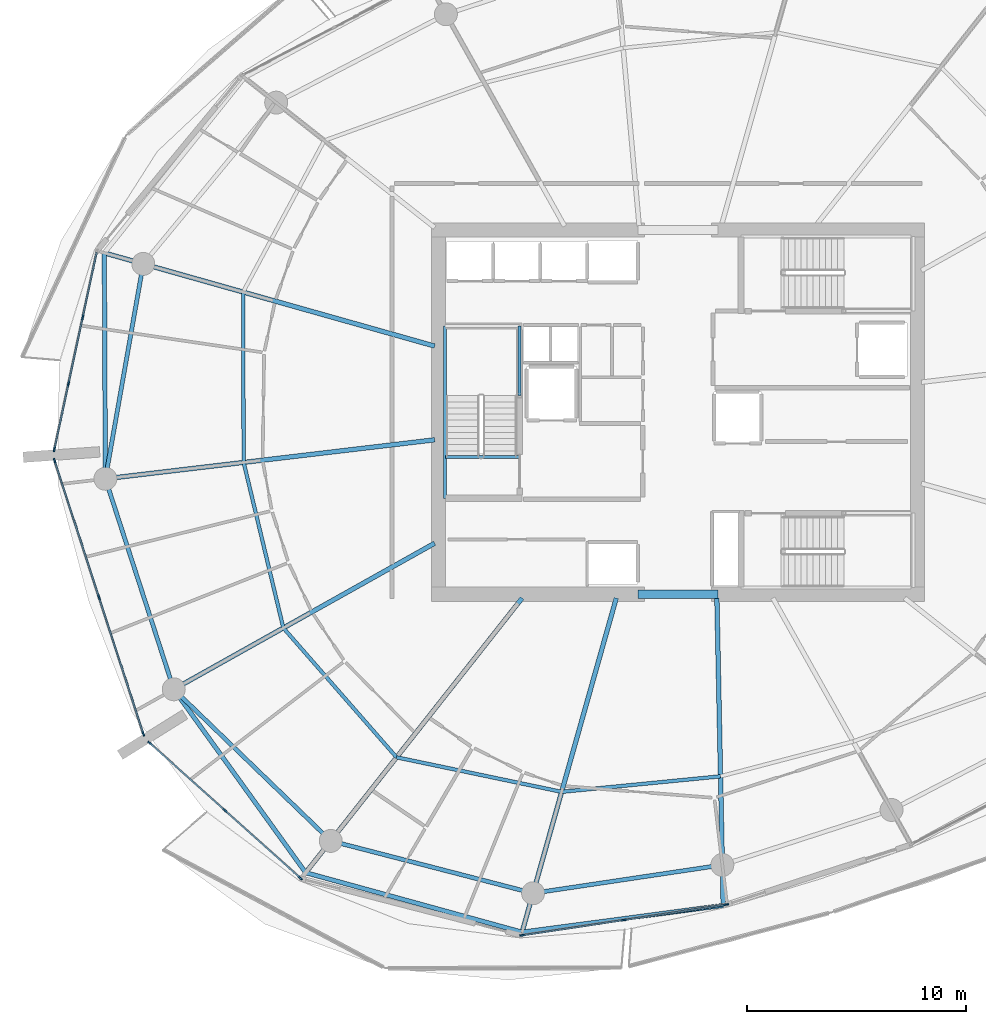
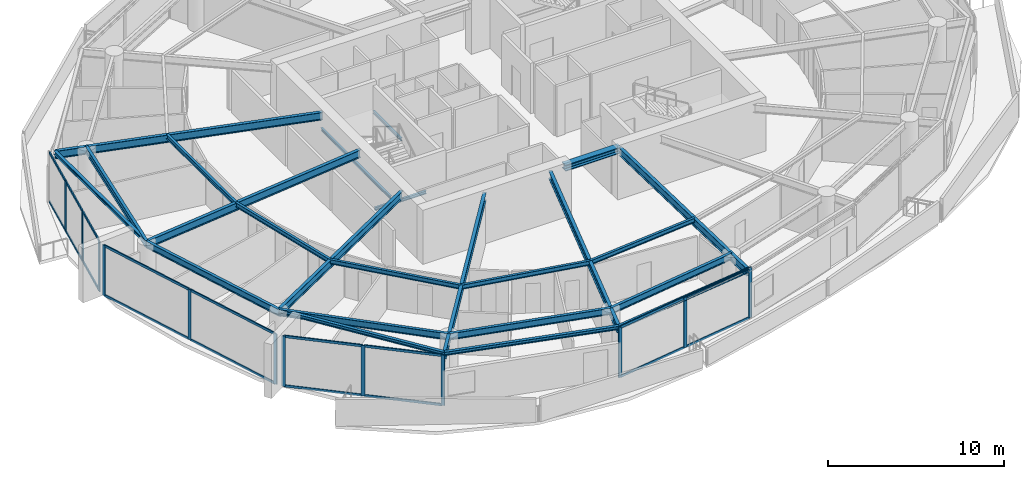
# One storey, part 5 of 20: 30 members, 24 beams, 4 elements without a shape of their own.
"""IFC4 building model written with IfcOpenShell, lengths in metres."""

from ifc_helpers import new_model, si_unit, direction, frame, origin, origin_2d, place, context, subcontext, project, spatial, rectangle, i_section, extrude, material, layer, layer_set, material_profile, profile_set, type_object, element, aggregate, save


model = new_model("IFC4")

# Units and contexts
model_context = context("Model", 3, precision=1e-05, world=origin(), true_north=direction((0.0, 1.0)))
body_context = subcontext(model_context, "Body", "Model", "MODEL_VIEW")
ifc_project = project(units=[si_unit("LENGTHUNIT", "METRE"), si_unit("AREAUNIT", "SQUARE_METRE"), si_unit("VOLUMEUNIT", "CUBIC_METRE"), si_unit("PLANEANGLEUNIT", "RADIAN"), si_unit("MASSUNIT", "GRAM", prefix="KILO")], contexts=[model_context])

# Site, building, storey
site_placement = place(None, origin())
site = spatial("IfcSite", under=ifc_project, at=site_placement, CompositionType="ELEMENT")
building_placement = place(site_placement, origin())
building = spatial("IfcBuilding", under=site, at=building_placement, Name="Kazma Halo Residences", CompositionType="ELEMENT")
storey_placement = place(building_placement, frame((0.0, 0.0, 214.050048828125)))
storey = spatial("IfcBuildingStorey", under=building, at=storey_placement, Name="L54", CompositionType="ELEMENT", Elevation=214.050048828125)

# Beams
ifc_material_1 = material(Name="Steel S355", Category="steel")
ifc_material_profile_1 = material_profile(ifc_material_1, i_section(OverallWidth=0.201904296875, OverallDepth=0.2470703125, WebThickness=0.00732421875, FlangeThickness=0.010986328125, FilletRadius=0.011962890625, at=origin_2d()), Name="W250x49.1")
ifc_profile_set_1 = profile_set([ifc_material_profile_1], Name="Steel S355")
beam_type_1 = type_object("IfcBeamType", Name="BM-BAL-CANT", PredefinedType="BEAM", material=ifc_profile_set_1)
for number, where, z_axis, x_axis, name in (
    (1, (22.19970703125, 49.276611328125, 3.37646484375), (0.004705663334, -0.999988928305, 0.0), (0.999988928305, 0.004705663334, 0.0), "L54 wave-balcony tie beam 07"),
    (2, (25.375, 29.329345703125, 3.37646484375), (0.583963922576, -0.811779611181, 0.0), (0.811779611181, 0.583963922576, 0.0), "L54 wave-balcony lead tie beam 09"),
):
    element("IfcBeam", number, at=place(storey_placement, frame(where, z_axis=z_axis, x_axis=x_axis)), inside=storey, type_object=beam_type_1, Name=name, PredefinedType="BEAM", context=body_context, shape_type="SweptSolid", body=[
        extrude(i_section(OverallWidth=0.201904296875, OverallDepth=0.2470703125, WebThickness=0.00732421875, FlangeThickness=0.010986328125, FilletRadius=0.011962890625, at=origin_2d()), origin(), (0.0, 0.0, 1.0), 10.324462890625),
    ])
beam_1_placement = place(storey_placement, frame((31.404052734375, 20.9482421875, 3.37646484375), z_axis=(0.964197026197, -0.265186905169, 0.0), x_axis=(0.265186905169, 0.964197026197, 0.0)))
element("IfcBeam", 3, at=beam_1_placement, inside=storey, type_object=beam_type_1, Name="L54 wave-balcony tie beam 10", PredefinedType="BEAM", context=body_context, shape_type="SweptSolid", body=[
    extrude(i_section(OverallWidth=0.201904296875, OverallDepth=0.2470703125, WebThickness=0.00732421875, FlangeThickness=0.010986328125, FilletRadius=0.011962890625, at=origin_2d()), origin(), (0.0, 0.0, 1.0), 10.258544921875),
])
beam_2_placement = place(storey_placement, frame((41.29541015625, 18.227783203125, 3.37646484375), z_axis=(0.99126671613, 0.131872277199, 0.0), x_axis=(-0.131872277199, 0.99126671613, 0.0)))
element("IfcBeam", 4, at=beam_2_placement, inside=storey, type_object=beam_type_1, Name="L54 wave-balcony tie beam 11", PredefinedType="BEAM", context=body_context, shape_type="SweptSolid", body=[
    extrude(i_section(OverallWidth=0.201904296875, OverallDepth=0.2470703125, WebThickness=0.00732421875, FlangeThickness=0.010986328125, FilletRadius=0.011962890625, at=origin_2d()), origin(), (0.0, 0.0, 1.0), 9.2734375),
])
ifc_material_profile_2 = material_profile(ifc_material_1, i_section(OverallWidth=0.408935546875, OverallDepth=0.425048828125, WebThickness=0.03271484375, FlangeThickness=0.052490234375, FilletRadius=0.02001953125, at=origin_2d()), Name="W360x421")
ifc_profile_set_2 = profile_set([ifc_material_profile_2], Name="Steel S355")
beam_type_2 = type_object("IfcBeamType", Name="BM-CORE-W360H", PredefinedType="BEAM", material=ifc_profile_set_2)
beam_3_placement = place(storey_placement, frame((46.60009765625, 33.675048828125, 3.287353515625), z_axis=(1.0, 0.0, 0.0), x_axis=(0.0, 1.0, 0.0)))
element("IfcBeam", 5, at=beam_3_placement, inside=storey, type_object=beam_type_2, Name="L54 core coupling beam S", PredefinedType="BEAM", context=body_context, shape_type="SweptSolid", body=[
    extrude(i_section(OverallWidth=0.408935546875, OverallDepth=0.425048828125, WebThickness=0.03271484375, FlangeThickness=0.052490234375, FilletRadius=0.02001953125, at=origin_2d()), origin(), (0.0, 0.0, 1.0), 3.64990234375),
])
ifc_material_profile_3 = material_profile(ifc_material_1, i_section(OverallWidth=0.208984375, OverallDepth=0.532958984375, WebThickness=0.01025390625, FlangeThickness=0.015625, FilletRadius=0.01611328125, at=origin_2d()), Name="W530x92")
ifc_profile_set_3 = profile_set([ifc_material_profile_3], Name="Steel S355")
beam_type_3 = type_object("IfcBeamType", Name="BM-RAD-W530", PredefinedType="BEAM", material=ifc_profile_set_3)
beam_4_placement = place(storey_placement, frame((37.300048828125, 45.017578125, 3.2333984375), z_axis=(-0.962450301448, 0.271457947467, 0.0), x_axis=(-0.271457947467, -0.962450301448, 0.0)))
element("IfcBeam", 6, at=beam_4_placement, inside=storey, type_object=beam_type_3, Name="L54 radial floor beam 07", PredefinedType="BEAM", context=body_context, shape_type="SweptSolid", body=[
    extrude(i_section(OverallWidth=0.208984375, OverallDepth=0.532958984375, WebThickness=0.01025390625, FlangeThickness=0.015625, FilletRadius=0.01611328125, at=origin_2d()), origin(), (0.0, 0.0, 1.0), 15.689453125),
])
beam_5_placement = place(storey_placement, frame((37.300048828125, 40.733642578125, 3.2333984375), z_axis=(-0.993068447674, -0.117537475875, 0.0), x_axis=(0.117537475875, -0.993068447674, 0.0)))
element("IfcBeam", 7, at=beam_5_placement, inside=storey, type_object=beam_type_3, Name="L54 radial floor beam 08", PredefinedType="BEAM", context=body_context, shape_type="SweptSolid", body=[
    extrude(i_section(OverallWidth=0.208984375, OverallDepth=0.532958984375, WebThickness=0.01025390625, FlangeThickness=0.015625, FilletRadius=0.01611328125, at=origin_2d()), origin(), (0.0, 0.0, 1.0), 15.15673828125),
])
beam_6_placement = place(storey_placement, frame((37.300048828125, 36.0078125, 3.2333984375), z_axis=(-0.872492308718, -0.488627845327, 0.0), x_axis=(0.488627845327, -0.872492308718, 0.0)))
element("IfcBeam", 8, at=beam_6_placement, inside=storey, type_object=beam_type_3, Name="L54 radial floor beam 09", PredefinedType="BEAM", context=body_context, shape_type="SweptSolid", body=[
    extrude(i_section(OverallWidth=0.208984375, OverallDepth=0.532958984375, WebThickness=0.01025390625, FlangeThickness=0.015625, FilletRadius=0.01611328125, at=origin_2d()), origin(), (0.0, 0.0, 1.0), 13.667724609375),
])
beam_7_placement = place(storey_placement, frame((41.299072265625, 33.5, 3.2333984375), z_axis=(-0.61909439419, -0.785316580165, 0.0), x_axis=(0.785316580165, -0.61909439419, 0.0)))
element("IfcBeam", 9, at=beam_7_placement, inside=storey, type_object=beam_type_3, Name="L54 radial floor beam 10", PredefinedType="BEAM", context=body_context, shape_type="SweptSolid", body=[
    extrude(i_section(OverallWidth=0.208984375, OverallDepth=0.532958984375, WebThickness=0.01025390625, FlangeThickness=0.015625, FilletRadius=0.01611328125, at=origin_2d()), origin(), (0.0, 0.0, 1.0), 15.983154296875),
])
beam_8_placement = place(storey_placement, frame((45.602783203125, 33.5, 3.2333984375), z_axis=(-0.271449932859, -0.962452561922, 0.0), x_axis=(0.962452561922, -0.271449932859, 0.0)))
element("IfcBeam", 10, at=beam_8_placement, inside=storey, type_object=beam_type_3, Name="L54 radial floor beam 11", PredefinedType="BEAM", context=body_context, shape_type="SweptSolid", body=[
    extrude(i_section(OverallWidth=0.208984375, OverallDepth=0.532958984375, WebThickness=0.01025390625, FlangeThickness=0.015625, FilletRadius=0.01611328125, at=origin_2d()), origin(), (0.0, 0.0, 1.0), 15.867919921875),
])
beam_9_placement = place(storey_placement, frame((50.199951171875, 33.5, 3.2333984375), z_axis=(0.020483658838, -0.99979018785, 0.0), x_axis=(0.99979018785, 0.020483658838, 0.0)))
element("IfcBeam", 11, at=beam_9_placement, inside=storey, type_object=beam_type_3, Name="L54 radial floor beam 12", PredefinedType="BEAM", context=body_context, shape_type="SweptSolid", body=[
    extrude(i_section(OverallWidth=0.208984375, OverallDepth=0.532958984375, WebThickness=0.01025390625, FlangeThickness=0.015625, FilletRadius=0.01611328125, at=origin_2d()), origin(), (0.0, 0.0, 1.0), 14.05224609375),
])
ifc_material_profile_4 = material_profile(ifc_material_1, i_section(OverallWidth=0.1650390625, OverallDepth=0.31005859375, WebThickness=0.005859375, FlangeThickness=0.009765625, FilletRadius=0.011962890625, at=origin_2d()), Name="W310x38.7")
ifc_profile_set_4 = profile_set([ifc_material_profile_4], Name="Steel S355")
beam_type_4 = type_object("IfcBeamType", Name="BM-SEC-W310B", PredefinedType="JOIST", material=ifc_profile_set_4)
beam_10_placement = place(storey_placement, frame((28.5419921875, 47.48779296875, 3.344970703125), z_axis=(0.003605218278, -0.999993501179, 0.0), x_axis=(0.999993501179, 0.003605218278, 0.0)))
element("IfcBeam", 12, at=beam_10_placement, inside=storey, type_object=beam_type_4, Name="L54 circumferential floor joist 07", PredefinedType="JOIST", context=body_context, shape_type="SweptSolid", body=[
    extrude(i_section(OverallWidth=0.1650390625, OverallDepth=0.31005859375, WebThickness=0.005859375, FlangeThickness=0.009765625, FilletRadius=0.011962890625, at=origin_2d()), origin(), (0.0, 0.0, 1.0), 7.78759765625),
])
beam_11_placement = place(storey_placement, frame((28.570068359375, 39.7001953125, 3.344970703125), z_axis=(0.233058429286, -0.972462733753, 0.0), x_axis=(0.972462733753, 0.233058429286, 0.0)))
element("IfcBeam", 13, at=beam_11_placement, inside=storey, type_object=beam_type_4, Name="L54 circumferential floor joist 08", PredefinedType="JOIST", context=body_context, shape_type="SweptSolid", body=[
    extrude(i_section(OverallWidth=0.1650390625, OverallDepth=0.31005859375, WebThickness=0.005859375, FlangeThickness=0.009765625, FilletRadius=0.011962890625, at=origin_2d()), origin(), (0.0, 0.0, 1.0), 7.7802734375),
])
beam_12_placement = place(storey_placement, frame((30.38330078125, 32.13427734375, 3.344970703125), z_axis=(0.658629944618, -0.75246700662, 0.0), x_axis=(0.75246700662, 0.658629944618, 0.0)))
element("IfcBeam", 14, at=beam_12_placement, inside=storey, type_object=beam_type_4, Name="L54 circumferential floor joist 09", PredefinedType="JOIST", context=body_context, shape_type="SweptSolid", body=[
    extrude(i_section(OverallWidth=0.1650390625, OverallDepth=0.31005859375, WebThickness=0.005859375, FlangeThickness=0.009765625, FilletRadius=0.011962890625, at=origin_2d()), origin(), (0.0, 0.0, 1.0), 7.85986328125),
])
beam_13_placement = place(storey_placement, frame((35.56005859375, 26.219970703125, 3.344970703125), z_axis=(0.978821484976, -0.204715657802, 0.0), x_axis=(0.204715657802, 0.978821484976, 0.0)))
element("IfcBeam", 15, at=beam_13_placement, inside=storey, type_object=beam_type_4, Name="L54 circumferential floor joist 10", PredefinedType="JOIST", context=body_context, shape_type="SweptSolid", body=[
    extrude(i_section(OverallWidth=0.1650390625, OverallDepth=0.31005859375, WebThickness=0.005859375, FlangeThickness=0.009765625, FilletRadius=0.011962890625, at=origin_2d()), origin(), (0.0, 0.0, 1.0), 7.707763671875),
])
beam_14_placement = place(storey_placement, frame((43.1044921875, 24.64208984375, 3.344970703125), z_axis=(0.995262165401, 0.097227681872, 0.0), x_axis=(-0.097227681872, 0.995262165401, 0.0)))
element("IfcBeam", 16, at=beam_14_placement, inside=storey, type_object=beam_type_4, Name="L54 circumferential floor joist 11", PredefinedType="JOIST", context=body_context, shape_type="SweptSolid", body=[
    extrude(i_section(OverallWidth=0.1650390625, OverallDepth=0.31005859375, WebThickness=0.005859375, FlangeThickness=0.009765625, FilletRadius=0.011962890625, at=origin_2d()), origin(), (0.0, 0.0, 1.0), 7.297119140625),
])
ifc_material_profile_5 = material_profile(ifc_material_1, i_section(OverallWidth=0.18994140625, OverallDepth=0.45703125, WebThickness=0.009033203125, FlangeThickness=0.014404296875, FilletRadius=0.01611328125, at=origin_2d()), Name="W460x74")
ifc_profile_set_5 = profile_set([ifc_material_profile_5], Name="Steel S355")
beam_type_5 = type_object("IfcBeamType", Name="BM-SPN-W460", PredefinedType="BEAM", material=ifc_profile_set_5)
beam_15_placement = place(storey_placement, frame((23.980224609375, 48.7744140625, 3.271484375), z_axis=(-0.173648484202, -0.984807698962, 0.0), x_axis=(0.984807698962, -0.173648484202, 0.0)))
element("IfcBeam", 17, at=beam_15_placement, inside=storey, type_object=beam_type_5, Name="L54 perimeter ring beam 07", PredefinedType="BEAM", context=body_context, shape_type="SweptSolid", body=[
    extrude(i_section(OverallWidth=0.18994140625, OverallDepth=0.45703125, WebThickness=0.009033203125, FlangeThickness=0.014404296875, FilletRadius=0.01611328125, at=origin_2d()), origin(), (0.0, 0.0, 1.0), 9.973876953125),
])
beam_16_placement = place(storey_placement, frame((22.248291015625, 38.9521484375, 3.271484375), z_axis=(0.309023327426, -0.951054458539, 0.0), x_axis=(0.951054458539, 0.309023327426, 0.0)))
element("IfcBeam", 18, at=beam_16_placement, inside=storey, type_object=beam_type_5, Name="L54 perimeter ring beam 08", PredefinedType="BEAM", context=body_context, shape_type="SweptSolid", body=[
    extrude(i_section(OverallWidth=0.18994140625, OverallDepth=0.45703125, WebThickness=0.009033203125, FlangeThickness=0.014404296875, FilletRadius=0.01611328125, at=origin_2d()), origin(), (0.0, 0.0, 1.0), 10.117919921875),
])
beam_17_placement = place(storey_placement, frame((25.375, 29.329345703125, 3.271484375), z_axis=(0.71933650181, -0.694661786169, 0.0), x_axis=(0.694661786169, 0.71933650181, 0.0)))
element("IfcBeam", 19, at=beam_17_placement, inside=storey, type_object=beam_type_5, Name="L54 perimeter ring beam 09", PredefinedType="BEAM", context=body_context, shape_type="SweptSolid", body=[
    extrude(i_section(OverallWidth=0.18994140625, OverallDepth=0.45703125, WebThickness=0.009033203125, FlangeThickness=0.014404296875, FilletRadius=0.01611328125, at=origin_2d()), origin(), (0.0, 0.0, 1.0), 9.9736328125),
])
beam_18_placement = place(storey_placement, frame((32.54931640625, 22.401123046875, 3.271484375), z_axis=(0.968120950739, -0.25048318255, 0.0), x_axis=(0.25048318255, 0.968120950739, 0.0)))
element("IfcBeam", 20, at=beam_18_placement, inside=storey, type_object=beam_type_5, Name="L54 perimeter ring beam 10", PredefinedType="BEAM", context=body_context, shape_type="SweptSolid", body=[
    extrude(i_section(OverallWidth=0.18994140625, OverallDepth=0.45703125, WebThickness=0.009033203125, FlangeThickness=0.014404296875, FilletRadius=0.01611328125, at=origin_2d()), origin(), (0.0, 0.0, 1.0), 9.552734375),
])
beam_19_placement = place(storey_placement, frame((41.797607421875, 20.00830078125, 3.271484375), z_axis=(0.98903439143, 0.147685383732, 0.0), x_axis=(-0.147685383732, 0.98903439143, 0.0)))
element("IfcBeam", 21, at=beam_19_placement, inside=storey, type_object=beam_type_5, Name="L54 perimeter ring beam 11", PredefinedType="BEAM", context=body_context, shape_type="SweptSolid", body=[
    extrude(i_section(OverallWidth=0.18994140625, OverallDepth=0.45703125, WebThickness=0.009033203125, FlangeThickness=0.014404296875, FilletRadius=0.01611328125, at=origin_2d()), origin(), (0.0, 0.0, 1.0), 8.748291015625),
])
ifc_material_profile_6 = material_profile(ifc_material_1, i_section(OverallWidth=0.133056640625, OverallDepth=0.20703125, WebThickness=0.005859375, FlangeThickness=0.00830078125, FilletRadius=0.010009765625, at=origin_2d()), Name="W200x26.6")
ifc_profile_set_6 = profile_set([ifc_material_profile_6], Name="Steel S355")
beam_type_6 = type_object("IfcBeamType", Name="BM-TRIM-W200", PredefinedType="BEAM", material=ifc_profile_set_6)
beam_20_placement = place(storey_placement, frame((37.800048828125, 39.949951171875, -0.360107421875), z_axis=(1.0, 0.0, 0.0), x_axis=(0.0, 1.0, 0.0)))
element("IfcBeam", 22, at=beam_20_placement, inside=storey, type_object=beam_type_6, Name="L54 ST-01 floor landing support beam", PredefinedType="BEAM", context=body_context, shape_type="SweptSolid", body=[
    extrude(i_section(OverallWidth=0.133056640625, OverallDepth=0.20703125, WebThickness=0.005859375, FlangeThickness=0.00830078125, FilletRadius=0.010009765625, at=origin_2d()), origin(), (0.0, 0.0, 1.0), 3.3798828125),
])
beam_21_placement = place(storey_placement, frame((37.780029296875, 38.06005859375, 1.570068359375), z_axis=(0.0, 1.0, 0.0), x_axis=(-1.0, 0.0, 0.0)))
element("IfcBeam", 23, at=beam_21_placement, inside=storey, type_object=beam_type_6, Name="L54 ST-01 landing west wall ledger", PredefinedType="BEAM", context=body_context, shape_type="SweptSolid", body=[
    extrude(i_section(OverallWidth=0.133056640625, OverallDepth=0.20703125, WebThickness=0.005859375, FlangeThickness=0.00830078125, FilletRadius=0.010009765625, at=origin_2d()), origin(), (0.0, 0.0, 1.0), 7.8798828125),
])
beam_22_placement = place(storey_placement, frame((41.179931640625, 42.75, 1.570068359375), z_axis=(0.0, 1.0, 0.0), x_axis=(-1.0, 0.0, 0.0)))
element("IfcBeam", 24, at=beam_22_placement, inside=storey, type_object=beam_type_6, Name="L54 ST-01 landing east wall ledger", PredefinedType="BEAM", context=body_context, shape_type="SweptSolid", body=[
    extrude(i_section(OverallWidth=0.133056640625, OverallDepth=0.20703125, WebThickness=0.005859375, FlangeThickness=0.00830078125, FilletRadius=0.010009765625, at=origin_2d()), origin(), (0.0, 0.0, 1.0), 3.18994140625),
])

# Curtain wall, members
ifc_material_2 = material(Name="Aluminium AW-6063 T6 and Triple-Silver Low-E Glass", Category="aluminium")
ifc_layer = layer(ifc_material_2, 0.219970703125)
ifc_layer_set = layer_set([ifc_layer], Name="Aluminium AW-6063 T6 and Triple-Silver Low-E Glass")
curtain_wall_type = type_object("IfcCurtainWallType", Name="CW-SYS-4", PredefinedType="NOTDEFINED", material=ifc_layer_set)
curtain_wall_1_placement = place(storey_placement, origin())
curtain_wall_1 = element("IfcCurtainWall", 25, at=curtain_wall_1_placement, inside=storey, type_object=curtain_wall_type, Name="L54 unitised curtain wall B07", PredefinedType="NOTDEFINED")
ifc_material_3 = material(Name="Aluminium AW-6063 T6", Category="aluminium")
ifc_material_profile_7 = material_profile(ifc_material_3, rectangle(XDim=0.074951171875, YDim=0.219970703125, at=origin_2d()), Name="CWM-75x220")
ifc_profile_set_7 = profile_set([ifc_material_profile_7], Name="Aluminium AW-6063 T6")
member_type_1 = type_object("IfcMemberType", Name="CW-SYS-4-MUL", PredefinedType="MULLION", material=ifc_profile_set_7)
member_1_placement = place(storey_placement, frame((21.212890625, 46.3330078125, 0.0), z_axis=(0.0, 0.0, 1.0), x_axis=(0.977768017212, -0.209689543175, 0.0)))
member_1 = element("IfcMember", 26, at=member_1_placement, type_object=member_type_1, Name="CWS-4 mullion 2", PredefinedType="MULLION", context=body_context, shape_type="SweptSolid", body=[
    extrude(rectangle(XDim=0.074951171875, YDim=0.219970703125, at=origin_2d()), origin(), (0.0, 0.0, 1.0), 3.5),
])
member_2_placement = place(storey_placement, frame((20.561279296875, 43.295166015625, 0.0), z_axis=(0.0, 0.0, 1.0), x_axis=(0.977768017212, -0.209689543175, 0.0)))
member_2 = element("IfcMember", 27, at=member_2_placement, type_object=member_type_1, Name="CWS-4 mullion 3", PredefinedType="MULLION", context=body_context, shape_type="SweptSolid", body=[
    extrude(rectangle(XDim=0.074951171875, YDim=0.219970703125, at=origin_2d()), origin(), (0.0, 0.0, 1.0), 3.5),
])
member_3_placement = place(storey_placement, frame((19.917724609375, 40.2939453125, 0.0), z_axis=(0.0, 0.0, 1.0), x_axis=(0.977768017212, -0.209689543175, 0.0)))
member_3 = element("IfcMember", 28, at=member_3_placement, type_object=member_type_1, Name="CWS-4 mullion 4", PredefinedType="MULLION", context=body_context, shape_type="SweptSolid", body=[
    extrude(rectangle(XDim=0.074951171875, YDim=0.219970703125, at=origin_2d()), origin(), (0.0, 0.0, 1.0), 3.5),
])

curtain_wall_2_placement = place(storey_placement, origin())
curtain_wall_2 = element("IfcCurtainWall", 29, at=curtain_wall_2_placement, inside=storey, type_object=curtain_wall_type, Name="L54 unitised curtain wall B08", PredefinedType="NOTDEFINED")
member_4_placement = place(storey_placement, frame((19.9287109375, 39.77880859375, 0.0), z_axis=(0.0, 0.0, 1.0), x_axis=(0.951056893636, 0.309015833038, 0.0)))
member_4 = element("IfcMember", 30, at=member_4_placement, type_object=member_type_1, Name="CWS-4 mullion 1", PredefinedType="MULLION", context=body_context, shape_type="SweptSolid", body=[
    extrude(rectangle(XDim=0.074951171875, YDim=0.219970703125, at=origin_2d()), origin(), (0.0, 0.0, 1.0), 3.5),
])
member_5_placement = place(storey_placement, frame((21.95654296875, 33.5380859375, 0.0), z_axis=(0.0, 0.0, 1.0), x_axis=(0.951056893636, 0.309015833038, 0.0)))
member_5 = element("IfcMember", 31, at=member_5_placement, type_object=member_type_1, Name="CWS-4 mullion 2", PredefinedType="MULLION", context=body_context, shape_type="SweptSolid", body=[
    extrude(rectangle(XDim=0.074951171875, YDim=0.219970703125, at=origin_2d()), origin(), (0.0, 0.0, 1.0), 3.5),
])
member_6_placement = place(storey_placement, frame((23.984375, 27.297119140625, 0.0), z_axis=(0.0, 0.0, 1.0), x_axis=(0.951056893636, 0.309015833038, 0.0)))
member_6 = element("IfcMember", 32, at=member_6_placement, type_object=member_type_1, Name="CWS-4 mullion 3", PredefinedType="MULLION", context=body_context, shape_type="SweptSolid", body=[
    extrude(rectangle(XDim=0.074951171875, YDim=0.219970703125, at=origin_2d()), origin(), (0.0, 0.0, 1.0), 3.5),
])

curtain_wall_3_placement = place(storey_placement, origin())
curtain_wall_3 = element("IfcCurtainWall", 33, at=curtain_wall_3_placement, inside=storey, type_object=curtain_wall_type, Name="L54 unitised curtain wall B09", PredefinedType="NOTDEFINED")
member_7_placement = place(storey_placement, frame((24.2783203125, 26.873779296875, 0.0), z_axis=(0.0, 0.0, 1.0), x_axis=(0.667784328806, 0.744354814723, 0.0)))
member_7 = element("IfcMember", 34, at=member_7_placement, type_object=member_type_1, Name="CWS-4 mullion 1", PredefinedType="MULLION", context=body_context, shape_type="SweptSolid", body=[
    extrude(rectangle(XDim=0.074951171875, YDim=0.219970703125, at=origin_2d()), origin(), (0.0, 0.0, 1.0), 3.5),
])
member_8_placement = place(storey_placement, frame((27.719482421875, 23.786865234375, 0.0), z_axis=(0.0, 0.0, 1.0), x_axis=(0.667784328806, 0.744354814723, 0.0)))
member_8 = element("IfcMember", 35, at=member_8_placement, type_object=member_type_1, Name="CWS-4 mullion 2", PredefinedType="MULLION", context=body_context, shape_type="SweptSolid", body=[
    extrude(rectangle(XDim=0.074951171875, YDim=0.219970703125, at=origin_2d()), origin(), (0.0, 0.0, 1.0), 3.5),
])
member_9_placement = place(storey_placement, frame((31.160400390625, 20.69970703125, 0.0), z_axis=(0.0, 0.0, 1.0), x_axis=(0.667784328806, 0.744354814723, 0.0)))
member_9 = element("IfcMember", 36, at=member_9_placement, type_object=member_type_1, Name="CWS-4 mullion 3", PredefinedType="MULLION", context=body_context, shape_type="SweptSolid", body=[
    extrude(rectangle(XDim=0.074951171875, YDim=0.219970703125, at=origin_2d()), origin(), (0.0, 0.0, 1.0), 3.5),
])

curtain_wall_4_placement = place(storey_placement, origin())
curtain_wall_4 = element("IfcCurtainWall", 37, at=curtain_wall_4_placement, inside=storey, type_object=curtain_wall_type, Name="L54 unitised curtain wall B11", PredefinedType="NOTDEFINED")
member_10_placement = place(storey_placement, frame((41.291259765625, 18.086669921875, 0.0), z_axis=(0.0, 0.0, 1.0), x_axis=(-0.148772639188, 0.988871428361, 0.0)))
member_10 = element("IfcMember", 38, at=member_10_placement, type_object=member_type_1, Name="CWS-4 mullion 1", PredefinedType="MULLION", context=body_context, shape_type="SweptSolid", body=[
    extrude(rectangle(XDim=0.074951171875, YDim=0.219970703125, at=origin_2d()), origin(), (0.0, 0.0, 1.0), 3.5),
])
member_11_placement = place(storey_placement, frame((45.958740234375, 18.788818359375, 0.0), z_axis=(0.0, 0.0, 1.0), x_axis=(-0.148772639188, 0.988871428361, 0.0)))
member_11 = element("IfcMember", 39, at=member_11_placement, type_object=member_type_1, Name="CWS-4 mullion 2", PredefinedType="MULLION", context=body_context, shape_type="SweptSolid", body=[
    extrude(rectangle(XDim=0.074951171875, YDim=0.219970703125, at=origin_2d()), origin(), (0.0, 0.0, 1.0), 3.5),
])
member_12_placement = place(storey_placement, frame((50.626220703125, 19.490966796875, 0.0), z_axis=(0.0, 0.0, 1.0), x_axis=(-0.148772639188, 0.988871428361, 0.0)))
member_12 = element("IfcMember", 40, at=member_12_placement, type_object=member_type_1, Name="CWS-4 mullion 3", PredefinedType="MULLION", context=body_context, shape_type="SweptSolid", body=[
    extrude(rectangle(XDim=0.074951171875, YDim=0.219970703125, at=origin_2d()), origin(), (0.0, 0.0, 1.0), 3.5),
])

# Member
ifc_material_profile_8 = material_profile(ifc_material_3, rectangle(XDim=0.074951171875, YDim=0.1650390625, at=origin_2d()), Name="CWT-75x165")
ifc_profile_set_8 = profile_set([ifc_material_profile_8], Name="Aluminium AW-6063 T6")
member_type_2 = type_object("IfcMemberType", Name="CW-SYS-4-TRN", PredefinedType="USERDEFINED", material=ifc_profile_set_8)
member_13_placement = place(storey_placement, frame((21.8486328125, 49.297607421875, 0.037353515625), z_axis=(-0.209707268418, -0.977764215735, 0.0), x_axis=(0.977764215735, -0.209707268418, 0.0)))
member_13 = element("IfcMember", 41, at=member_13_placement, type_object=member_type_2, Name="CWS-4 transom 1.1", ObjectType="TRANSOM", PredefinedType="USERDEFINED", context=body_context, shape_type="SweptSolid", body=[
    extrude(rectangle(XDim=0.074951171875, YDim=0.1650390625, at=origin_2d()), origin(), (0.0, 0.0, 1.0), 2.994384765625),
])

member_14_placement = place(storey_placement, frame((21.8486328125, 49.297607421875, 3.46240234375), z_axis=(-0.209707268418, -0.977764215735, 0.0), x_axis=(0.977764215735, -0.209707268418, 0.0)))
member_14 = element("IfcMember", 42, at=member_14_placement, type_object=member_type_2, Name="CWS-4 transom 1.2", ObjectType="TRANSOM", PredefinedType="USERDEFINED", context=body_context, shape_type="SweptSolid", body=[
    extrude(rectangle(XDim=0.074951171875, YDim=0.1650390625, at=origin_2d()), origin(), (0.0, 0.0, 1.0), 2.994384765625),
])

member_15_placement = place(storey_placement, frame((21.205078125, 46.29638671875, 0.037353515625), z_axis=(-0.209677559804, -0.977770587057, 0.0), x_axis=(0.977770587057, -0.209677559804, 0.0)))
member_15 = element("IfcMember", 43, at=member_15_placement, type_object=member_type_2, Name="CWS-4 transom 2.1", ObjectType="TRANSOM", PredefinedType="USERDEFINED", context=body_context, shape_type="SweptSolid", body=[
    extrude(rectangle(XDim=0.074951171875, YDim=0.1650390625, at=origin_2d()), origin(), (0.0, 0.0, 1.0), 3.031982421875),
])

member_16_placement = place(storey_placement, frame((21.205078125, 46.29638671875, 3.46240234375), z_axis=(-0.209677559804, -0.977770587057, 0.0), x_axis=(0.977770587057, -0.209677559804, 0.0)))
member_16 = element("IfcMember", 44, at=member_16_placement, type_object=member_type_2, Name="CWS-4 transom 2.2", ObjectType="TRANSOM", PredefinedType="USERDEFINED", context=body_context, shape_type="SweptSolid", body=[
    extrude(rectangle(XDim=0.074951171875, YDim=0.1650390625, at=origin_2d()), origin(), (0.0, 0.0, 1.0), 3.031982421875),
])

member_17_placement = place(storey_placement, frame((20.553466796875, 43.258544921875, 0.037353515625), z_axis=(-0.209690551496, -0.97776780097, 0.0), x_axis=(0.97776780097, -0.209690551496, 0.0)))
member_17 = element("IfcMember", 45, at=member_17_placement, type_object=member_type_2, Name="CWS-4 transom 3.1", ObjectType="TRANSOM", PredefinedType="USERDEFINED", context=body_context, shape_type="SweptSolid", body=[
    extrude(rectangle(XDim=0.074951171875, YDim=0.1650390625, at=origin_2d()), origin(), (0.0, 0.0, 1.0), 2.99462890625),
])

member_18_placement = place(storey_placement, frame((20.553466796875, 43.258544921875, 3.46240234375), z_axis=(-0.209690551496, -0.97776780097, 0.0), x_axis=(0.97776780097, -0.209690551496, 0.0)))
member_18 = element("IfcMember", 46, at=member_18_placement, type_object=member_type_2, Name="CWS-4 transom 3.2", ObjectType="TRANSOM", PredefinedType="USERDEFINED", context=body_context, shape_type="SweptSolid", body=[
    extrude(rectangle(XDim=0.074951171875, YDim=0.1650390625, at=origin_2d()), origin(), (0.0, 0.0, 1.0), 2.99462890625),
])

aggregate(curtain_wall_1, [member_1, member_2, member_3, member_13, member_14, member_15, member_16, member_17, member_18])

member_19_placement = place(storey_placement, frame((19.9404296875, 39.7431640625, 0.037353515625), z_axis=(0.30902650142, -0.951053427217, 0.0), x_axis=(0.951053427217, 0.30902650142, 0.0)))
member_19 = element("IfcMember", 47, at=member_19_placement, type_object=member_type_2, Name="CWS-4 transom 1.1", ObjectType="TRANSOM", PredefinedType="USERDEFINED", context=body_context, shape_type="SweptSolid", body=[
    extrude(rectangle(XDim=0.074951171875, YDim=0.1650390625, at=origin_2d()), origin(), (0.0, 0.0, 1.0), 6.487060546875),
])

member_20_placement = place(storey_placement, frame((19.9404296875, 39.7431640625, 3.46240234375), z_axis=(0.30902650142, -0.951053427217, 0.0), x_axis=(0.951053427217, 0.30902650142, 0.0)))
member_20 = element("IfcMember", 48, at=member_20_placement, type_object=member_type_2, Name="CWS-4 transom 1.2", ObjectType="TRANSOM", PredefinedType="USERDEFINED", context=body_context, shape_type="SweptSolid", body=[
    extrude(rectangle(XDim=0.074951171875, YDim=0.1650390625, at=origin_2d()), origin(), (0.0, 0.0, 1.0), 6.487060546875),
])

member_21_placement = place(storey_placement, frame((21.968017578125, 33.50244140625, 0.037353515625), z_axis=(0.309015440644, -0.951057021132, 0.0), x_axis=(0.951057021132, 0.309015440644, 0.0)))
member_21 = element("IfcMember", 49, at=member_21_placement, type_object=member_type_2, Name="CWS-4 transom 2.1", ObjectType="TRANSOM", PredefinedType="USERDEFINED", context=body_context, shape_type="SweptSolid", body=[
    extrude(rectangle(XDim=0.074951171875, YDim=0.1650390625, at=origin_2d()), origin(), (0.0, 0.0, 1.0), 6.487060546875),
])

member_22_placement = place(storey_placement, frame((21.968017578125, 33.50244140625, 3.46240234375), z_axis=(0.309015440644, -0.951057021132, 0.0), x_axis=(0.951057021132, 0.309015440644, 0.0)))
member_22 = element("IfcMember", 50, at=member_22_placement, type_object=member_type_2, Name="CWS-4 transom 2.2", ObjectType="TRANSOM", PredefinedType="USERDEFINED", context=body_context, shape_type="SweptSolid", body=[
    extrude(rectangle(XDim=0.074951171875, YDim=0.1650390625, at=origin_2d()), origin(), (0.0, 0.0, 1.0), 6.487060546875),
])

aggregate(curtain_wall_2, [member_4, member_5, member_6, member_19, member_20, member_21, member_22])

member_23_placement = place(storey_placement, frame((24.30615234375, 26.848876953125, 0.037353515625), z_axis=(0.744344906673, -0.667795372783, 0.0), x_axis=(0.667795372783, 0.744344906673, 0.0)))
member_23 = element("IfcMember", 51, at=member_23_placement, type_object=member_type_2, Name="CWS-4 transom 1.1", ObjectType="TRANSOM", PredefinedType="USERDEFINED", context=body_context, shape_type="SweptSolid", body=[
    extrude(rectangle(XDim=0.074951171875, YDim=0.1650390625, at=origin_2d()), origin(), (0.0, 0.0, 1.0), 4.5478515625),
])

member_24_placement = place(storey_placement, frame((24.30615234375, 26.848876953125, 3.46240234375), z_axis=(0.744344906673, -0.667795372783, 0.0), x_axis=(0.667795372783, 0.744344906673, 0.0)))
member_24 = element("IfcMember", 52, at=member_24_placement, type_object=member_type_2, Name="CWS-4 transom 1.2", ObjectType="TRANSOM", PredefinedType="USERDEFINED", context=body_context, shape_type="SweptSolid", body=[
    extrude(rectangle(XDim=0.074951171875, YDim=0.1650390625, at=origin_2d()), origin(), (0.0, 0.0, 1.0), 4.5478515625),
])

member_25_placement = place(storey_placement, frame((27.747314453125, 23.76171875, 0.037353515625), z_axis=(0.744344906673, -0.667795372783, 0.0), x_axis=(0.667795372783, 0.744344906673, 0.0)))
member_25 = element("IfcMember", 53, at=member_25_placement, type_object=member_type_2, Name="CWS-4 transom 2.1", ObjectType="TRANSOM", PredefinedType="USERDEFINED", context=body_context, shape_type="SweptSolid", body=[
    extrude(rectangle(XDim=0.074951171875, YDim=0.1650390625, at=origin_2d()), origin(), (0.0, 0.0, 1.0), 4.5478515625),
])

member_26_placement = place(storey_placement, frame((27.747314453125, 23.76171875, 3.46240234375), z_axis=(0.744344906673, -0.667795372783, 0.0), x_axis=(0.667795372783, 0.744344906673, 0.0)))
member_26 = element("IfcMember", 54, at=member_26_placement, type_object=member_type_2, Name="CWS-4 transom 2.2", ObjectType="TRANSOM", PredefinedType="USERDEFINED", context=body_context, shape_type="SweptSolid", body=[
    extrude(rectangle(XDim=0.074951171875, YDim=0.1650390625, at=origin_2d()), origin(), (0.0, 0.0, 1.0), 4.5478515625),
])

aggregate(curtain_wall_3, [member_7, member_8, member_9, member_23, member_24, member_25, member_26])

member_27_placement = place(storey_placement, frame((41.328369140625, 18.092041015625, 0.037353515625), z_axis=(0.988867623216, 0.148797929272, 0.0), x_axis=(-0.148797929272, 0.988867623216, 0.0)))
member_27 = element("IfcMember", 55, at=member_27_placement, type_object=member_type_2, Name="CWS-4 transom 1.1", ObjectType="TRANSOM", PredefinedType="USERDEFINED", context=body_context, shape_type="SweptSolid", body=[
    extrude(rectangle(XDim=0.074951171875, YDim=0.1650390625, at=origin_2d()), origin(), (0.0, 0.0, 1.0), 4.64501953125),
])

member_28_placement = place(storey_placement, frame((41.328369140625, 18.092041015625, 3.46240234375), z_axis=(0.988867623216, 0.148797929272, 0.0), x_axis=(-0.148797929272, 0.988867623216, 0.0)))
member_28 = element("IfcMember", 56, at=member_28_placement, type_object=member_type_2, Name="CWS-4 transom 1.2", ObjectType="TRANSOM", PredefinedType="USERDEFINED", context=body_context, shape_type="SweptSolid", body=[
    extrude(rectangle(XDim=0.074951171875, YDim=0.1650390625, at=origin_2d()), origin(), (0.0, 0.0, 1.0), 4.64501953125),
])

member_29_placement = place(storey_placement, frame((45.995849609375, 18.79443359375, 0.037353515625), z_axis=(0.988876518566, 0.148738801357, 0.0), x_axis=(-0.148738801357, 0.988876518566, 0.0)))
member_29 = element("IfcMember", 57, at=member_29_placement, type_object=member_type_2, Name="CWS-4 transom 2.1", ObjectType="TRANSOM", PredefinedType="USERDEFINED", context=body_context, shape_type="SweptSolid", body=[
    extrude(rectangle(XDim=0.074951171875, YDim=0.1650390625, at=origin_2d()), origin(), (0.0, 0.0, 1.0), 4.645263671875),
])

member_30_placement = place(storey_placement, frame((45.995849609375, 18.79443359375, 3.46240234375), z_axis=(0.988876518566, 0.148738801357, 0.0), x_axis=(-0.148738801357, 0.988876518566, 0.0)))
member_30 = element("IfcMember", 58, at=member_30_placement, type_object=member_type_2, Name="CWS-4 transom 2.2", ObjectType="TRANSOM", PredefinedType="USERDEFINED", context=body_context, shape_type="SweptSolid", body=[
    extrude(rectangle(XDim=0.074951171875, YDim=0.1650390625, at=origin_2d()), origin(), (0.0, 0.0, 1.0), 4.645263671875),
])

aggregate(curtain_wall_4, [member_10, member_11, member_12, member_27, member_28, member_29, member_30])

save(model, "model.ifc")
